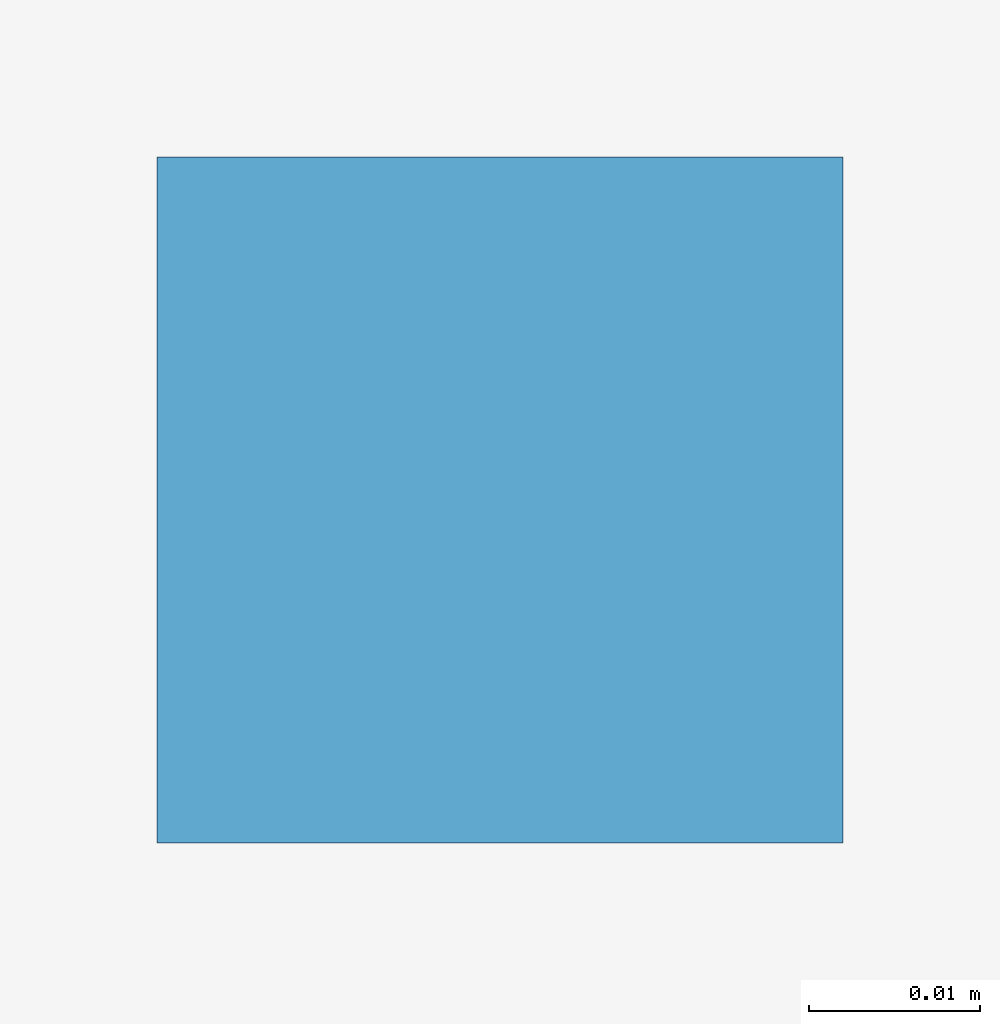
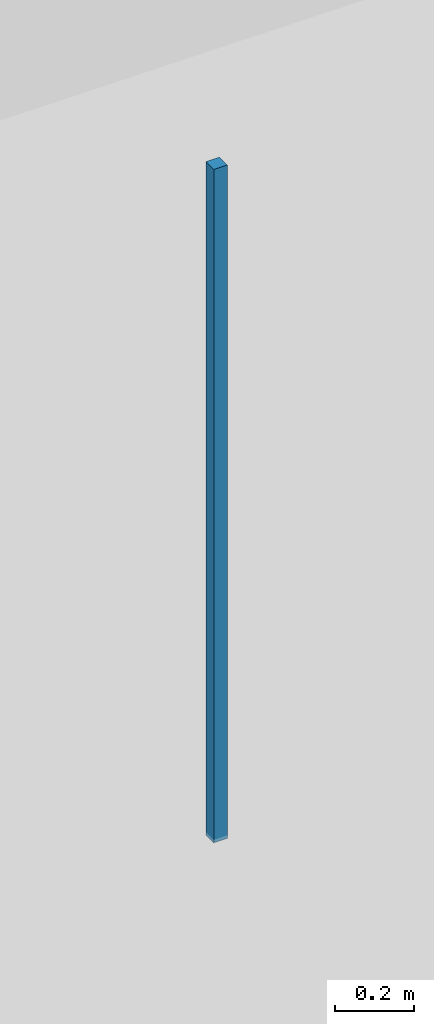
# One storey, part 133 of 167: 1 discrete accessory.
"""IFC4 building model written with IfcOpenShell, lengths in metres."""

import ifcopenshell
import ifcopenshell.guid

model = None  # the IFC model being written
_history = None  # IfcOwnerHistory: only IFC2X3 demands one
_inside = {}  # id of a spatial element -> (the spatial element, [elements in it])
_under = {}  # id of a project, library or spatial element -> (it, [spatial elements below it])
_declared = {}  # id of a project -> (the project, [libraries it declares])
_typed = {}  # id of a type object -> (the type object, [elements of that type])
_made_of = {}  # id of a material, layer set ... -> (it, [elements and type objects made of it])


def new_model(schema):
    """Start an empty IFC model of exactly this schema.

    Asked for "IFC4X3", IfcOpenShell would pick the latest addendum, in which some entities
    have other attributes; the version numbers below select the first issue.
    IFC2X3 requires an IfcOwnerHistory on every rooted entity: one is made here for all.
    """
    global model, _history
    if schema == "IFC4X3":
        model = ifcopenshell.file(schema_version=(4, 3, 0, 0))
    else:
        model = ifcopenshell.file(schema=schema)
    _inside.clear()
    _under.clear()
    _declared.clear()
    _typed.clear()
    _made_of.clear()
    _history = None
    if model.schema == "IFC2X3":
        org = make("IfcOrganization", Name="unknown")
        user = make(
            "IfcPersonAndOrganization",
            ThePerson=make("IfcPerson", FamilyName="unknown"),
            TheOrganization=org,
        )
        app = make(
            "IfcApplication",
            ApplicationDeveloper=org,
            Version="unknown",
            ApplicationFullName="unknown",
            ApplicationIdentifier="unknown",
        )
        _history = make(
            "IfcOwnerHistory",
            OwningUser=user,
            OwningApplication=app,
            ChangeAction="ADDED",
            CreationDate=0,
        )
    return model


def make(cls, **values):
    """One entity of the class cls with the attributes given. An attribute that is None is left unset."""
    return model.create_entity(
        cls, **{name: value for name, value in values.items() if value is not None}
    )


def rooted(cls, **values):
    """An entity with a GlobalId (a new one), such as an element, a storey or a relation."""
    return make(cls, GlobalId=ifcopenshell.guid.new(), OwnerHistory=_history, **values)


def si_unit(unit_type, name, prefix=None):
    """IfcSIUnit, for example si_unit("LENGTHUNIT", "METRE", prefix="MILLI")."""
    return make("IfcSIUnit", UnitType=unit_type, Prefix=prefix, Name=name)


def assignment(units):
    """IfcUnitAssignment: the units of a project."""
    return None if units is None else make("IfcUnitAssignment", Units=units)


def point(xyz):
    """IfcCartesianPoint."""
    return None if xyz is None else make("IfcCartesianPoint", Coordinates=xyz)


def direction(xyz):
    """IfcDirection."""
    return None if xyz is None else make("IfcDirection", DirectionRatios=xyz)


def frame(location, z_axis=None, x_axis=None):
    """IfcAxis2Placement3D, a coordinate frame: its origin and axes. An axis left out is left unset."""
    return make(
        "IfcAxis2Placement3D",
        Location=point(location),
        Axis=direction(z_axis),
        RefDirection=direction(x_axis),
    )


def frame_2d(location, x_axis=None):
    """IfcAxis2Placement2D, a coordinate frame in the plane: its origin and x axis."""
    return make(
        "IfcAxis2Placement2D", Location=point(location), RefDirection=direction(x_axis)
    )


def origin():
    """The frame at (0, 0, 0) with its axes left unset."""
    return frame((0.0, 0.0, 0.0))


def origin_2d():
    """The frame at (0, 0) in the plane with its x axis left unset."""
    return frame_2d((0.0, 0.0))


def place(relative_to, where):
    """IfcLocalPlacement: puts the frame where relative to a parent placement (None: the world)."""
    return make(
        "IfcLocalPlacement", PlacementRelTo=relative_to, RelativePlacement=where
    )


def context(
    kind, dimensions, precision=None, world=None, true_north=None, identifier=None
):
    """IfcGeometricRepresentationContext, for example the 3D "Model" context."""
    return make(
        "IfcGeometricRepresentationContext",
        ContextIdentifier=identifier,
        ContextType=kind,
        CoordinateSpaceDimension=dimensions,
        Precision=precision,
        WorldCoordinateSystem=world,
        TrueNorth=true_north,
    )


def subcontext(parent, identifier, kind, view, scale=None):
    """IfcGeometricRepresentationSubContext, for example "Body" below "Model"."""
    return make(
        "IfcGeometricRepresentationSubContext",
        ContextIdentifier=identifier,
        ContextType=kind,
        ParentContext=parent,
        TargetScale=scale,
        TargetView=view,
    )


def project(units=None, contexts=None):
    """IfcProject with its units and contexts."""
    return rooted(
        "IfcProject",
        Name="project",
        RepresentationContexts=contexts,
        UnitsInContext=assignment(units),
    )


def spatial(cls, under=None, at=None, **own):
    """A site, building, storey or space (cls), placed at a placement, below another one or the project."""
    s = rooted(cls, ObjectPlacement=at, **own)
    if under is not None:
        _under.setdefault(under.id(), (under, []))[1].append(s)
    return s


def profile(cls, at=None, kind="AREA", **sizes):
    """A parametric profile (cls). Its sizes go by their IFC names, for example OverallWidth=200.0."""
    return make(cls, ProfileType=kind, Position=at, **sizes)


def rectangle(**sizes):
    """IfcRectangleProfileDef."""
    return profile("IfcRectangleProfileDef", **sizes)


def extrude(swept, where, along, depth):
    """IfcExtrudedAreaSolid: the profile swept, set in the frame where, extruded along a direction by depth."""
    return make(
        "IfcExtrudedAreaSolid",
        SweptArea=swept,
        Position=where,
        ExtrudedDirection=direction(along),
        Depth=depth,
    )


def shape(context_of_items, identifier, shape_type, items):
    """IfcShapeRepresentation: the items that make up one representation, for example the "Body"."""
    return make(
        "IfcShapeRepresentation",
        ContextOfItems=context_of_items,
        RepresentationIdentifier=identifier,
        RepresentationType=shape_type,
        Items=items,
    )


def material(Name=None, Category=None):
    """IfcMaterial."""
    return make("IfcMaterial", Name=Name, Category=Category)


def made_of(thing, what):
    """Note that an element or type object is made of a material, layer set ...; save() writes the relation."""
    if what is not None:
        _made_of.setdefault(what.id(), (what, []))[1].append(thing)
    return thing


def type_object(cls, material=None, **own):
    """A type object (cls), such as IfcWallType, which elements share."""
    return made_of(rooted(cls, **own), material)


def element(
    cls,
    number,
    at=None,
    inside=None,
    cuts=None,
    type_object=None,
    material=None,
    context=None,
    identifier="Body",
    shape_type=None,
    held_by="IfcProductDefinitionShape",
    body=None,
    shapes=None,
    **own,
):
    """One element of the class cls, such as IfcWall. Its Tag is "e" and its number.

    at: its placement. inside: the storey or other place that contains it. cuts: it is an
    opening in that element (IfcRelVoidsElement). A single representation is given by context,
    identifier, shape_type and body (its items); several are given by shapes. held_by: the class
    of the entity that holds the representations. save() writes the other relations.
    """
    e = rooted(cls, Tag="e%d" % number, ObjectPlacement=at, **own)
    if body is not None:
        shapes = [shape(context, identifier, shape_type, body)]
    if shapes is not None:
        e.Representation = make(held_by, Representations=shapes)
    if inside is not None:
        _inside.setdefault(inside.id(), (inside, []))[1].append(e)
    if cuts is not None:
        rooted(
            "IfcRelVoidsElement", RelatingBuildingElement=cuts, RelatedOpeningElement=e
        )
    if type_object is not None:
        _typed.setdefault(type_object.id(), (type_object, []))[1].append(e)
    return made_of(e, material)


def aggregate(whole, parts):
    """IfcRelAggregates: a whole, such as a stair, and the parts it consists of."""
    return rooted("IfcRelAggregates", RelatingObject=whole, RelatedObjects=parts)


def save(model, path):
    """Write the relations noted so far, then the file.

    IfcRelAggregates (storeys below a building ...), IfcRelContainedInSpatialStructure (elements
    in a storey), IfcRelDefinesByType, IfcRelAssociatesMaterial and IfcRelDeclares: one each for
    every whole, place, type object, material and project.
    """
    for whole, parts in _under.values():
        aggregate(whole, parts)
    for where, things in _inside.values():
        rooted(
            "IfcRelContainedInSpatialStructure",
            RelatedElements=things,
            RelatingStructure=where,
        )
    for kind, things in _typed.values():
        rooted("IfcRelDefinesByType", RelatedObjects=things, RelatingType=kind)
    for what, things in _made_of.values():
        rooted("IfcRelAssociatesMaterial", RelatedObjects=things, RelatingMaterial=what)
    for by, libraries in _declared.values():
        rooted("IfcRelDeclares", RelatingContext=by, RelatedDefinitions=libraries)
    model.write(path)


model = new_model("IFC4")

# Units and contexts
model_context = context("Model", 3, precision=1e-05, world=origin(), true_north=direction((0.0, 1.0)))
body_context = subcontext(model_context, "Body", "Model", "MODEL_VIEW")
ifc_project = project(units=[si_unit("LENGTHUNIT", "METRE"), si_unit("AREAUNIT", "SQUARE_METRE"), si_unit("VOLUMEUNIT", "CUBIC_METRE"), si_unit("PLANEANGLEUNIT", "RADIAN"), si_unit("MASSUNIT", "GRAM", prefix="KILO")], contexts=[model_context])

# Site, building, storey
site_placement = place(None, origin())
site = spatial("IfcSite", under=ifc_project, at=site_placement, CompositionType="ELEMENT")
building_placement = place(site_placement, origin())
building = spatial("IfcBuilding", under=site, at=building_placement, Name="Varncliffe General Hospital", CompositionType="ELEMENT")
storey_placement = place(building_placement, origin())
storey = spatial("IfcBuildingStorey", under=building, at=storey_placement, Name="L00", CompositionType="ELEMENT", Elevation=0.0)

# Discrete accessory
ifc_material = material(Name="Powder-coated hospital steel guardrail and handrail", Category="steel")
discrete_accessory_type = type_object("IfcDiscreteAccessoryType", Name="Suspended Ceiling Hanger Bracket CH01", PredefinedType="BRACKET", material=ifc_material)
discrete_accessory_placement = place(storey_placement, frame((169.800048828125, 86.142578125, 3.18994140625), z_axis=(0.0, 0.0, 1.0), x_axis=(1.0, 0.0, 0.0)))
element("IfcDiscreteAccessory", 1, at=discrete_accessory_placement, inside=storey, type_object=discrete_accessory_type, Name="L00 Suspended Ceiling Hanger 105", PredefinedType="BRACKET", context=body_context, shape_type="SweptSolid", body=[
    extrude(rectangle(XDim=0.0400390625, YDim=0.0400390625, at=origin_2d()), origin(), (0.0, 0.0, 1.0), 2.090087890625),
])

save(model, "model.ifc")
